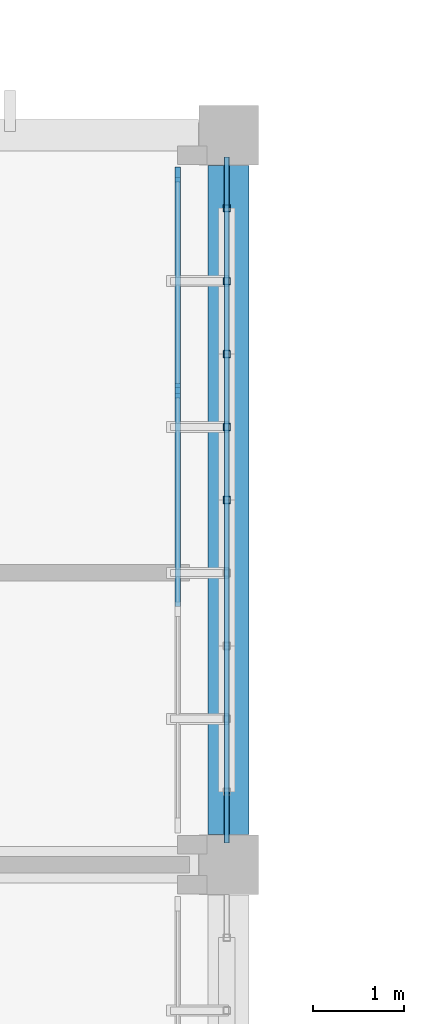
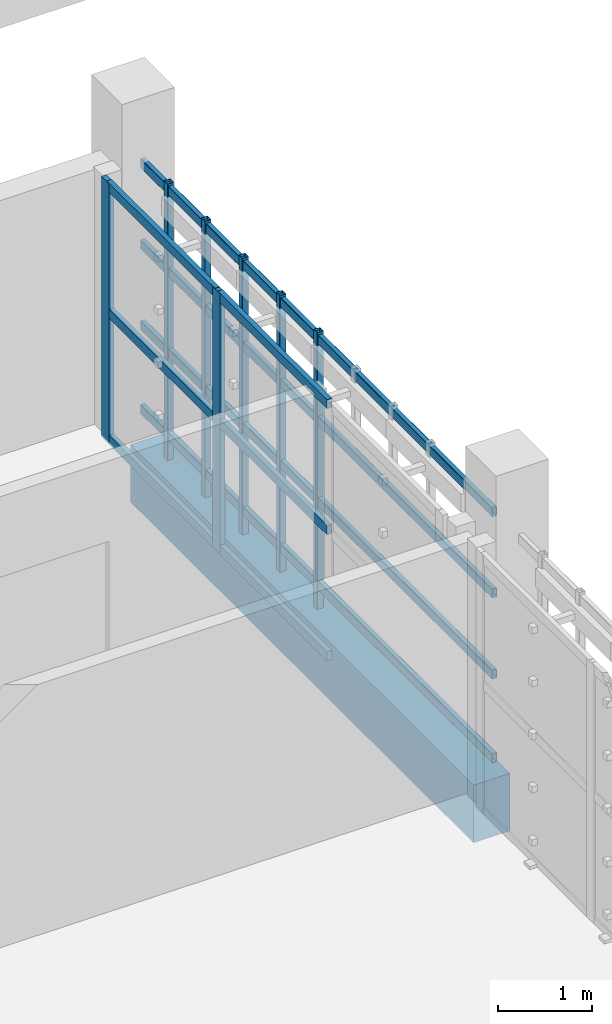
# One storey, part 30 of 137: 17 members, 1 beam, 1 element without a shape of its own.
"""IFC4 building model written with IfcOpenShell, lengths in metres."""

from ifc_helpers import new_model, si_unit, direction, frame, origin, origin_2d, place, context, subcontext, project, spatial, rectangle, hollow_rectangle, extrude, material, layer, layer_set, material_profile, profile_set, type_object, element, aggregate, save


model = new_model("IFC4")

# Units and contexts
model_context = context("Model", 3, precision=1e-05, world=origin(), true_north=direction((0.0, 1.0)))
body_context = subcontext(model_context, "Body", "Model", "MODEL_VIEW")
ifc_project = project(units=[si_unit("LENGTHUNIT", "METRE"), si_unit("AREAUNIT", "SQUARE_METRE"), si_unit("VOLUMEUNIT", "CUBIC_METRE"), si_unit("PLANEANGLEUNIT", "RADIAN"), si_unit("MASSUNIT", "GRAM", prefix="KILO")], contexts=[model_context])

# Site, building, storey
site_placement = place(None, origin())
site = spatial("IfcSite", under=ifc_project, at=site_placement, CompositionType="ELEMENT")
building_placement = place(site_placement, origin())
building = spatial("IfcBuilding", under=site, at=building_placement, Name="Jelvoka-Kovrelna Polytechnic", CompositionType="ELEMENT")
storey_placement = place(building_placement, frame((0.0, 0.0, 9.60009765625)))
storey = spatial("IfcBuildingStorey", under=building, at=storey_placement, Name="L03", CompositionType="ELEMENT", Elevation=9.60009765625)

# Beam
ifc_material_1 = material(Name="Concrete C40/50", Category="concrete")
ifc_material_profile_1 = material_profile(ifc_material_1, rectangle(XDim=0.449951171875, YDim=0.75, at=origin_2d()), Name="RC 450x750")
ifc_profile_set_1 = profile_set([ifc_material_profile_1], Name="Concrete C40/50")
beam_type = type_object("IfcBeamType", Name="Beam_RC_450x750", PredefinedType="BEAM", material=ifc_profile_set_1)
beam_placement = place(storey_placement, frame((112.0, 40.330078125, -0.64013671875), z_axis=(0.0, 1.0, 0.0), x_axis=(-1.0, 0.0, 0.0)))
element("IfcBeam", 1, at=beam_placement, inside=storey, type_object=beam_type, Name="L03 beam 0962", PredefinedType="BEAM", context=body_context, shape_type="SweptSolid", body=[
    extrude(rectangle(XDim=0.449951171875, YDim=0.75, at=origin_2d()), origin(), (0.0, 0.0, 1.0), 7.33984375),
])

# Members
ifc_material_2 = material(Name="Structural steel S355J2H", Category="steel")
ifc_material_profile_2 = material_profile(ifc_material_2, hollow_rectangle(XDim=0.06005859375, YDim=0.1201171875, WallThickness=0.0048828125, InnerFilletRadius=0.0048828125, OuterFilletRadius=0.007568359375, at=origin_2d()), Name="120x60x5.0 RHS")
ifc_profile_set_2 = profile_set([ifc_material_profile_2], Name="Structural steel S355J2H")
member_type_1 = type_object("IfcMemberType", Name="Member_Strut_RHS120", PredefinedType="STRUT", material=ifc_profile_set_2)
for number, where, z_axis, x_axis, name in (
    (2, (111.97998046875, 40.239990234375, 0.079833984375), (0.0, 1.0, 0.0), (-1.0, 0.0, 0.0), "L03 terracotta screen horizontal strut 0170"),
    (3, (111.97998046875, 40.239990234375, 1.17138671875), (0.0, 1.0, 0.0), (-1.0, 0.0, 0.0), "L03 terracotta screen horizontal strut 0171"),
    (4, (111.97998046875, 40.239990234375, 2.230712890625), (0.0, 1.0, 0.0), (-1.0, 0.0, 0.0), "L03 terracotta screen horizontal strut 0172"),
    (5, (111.97998046875, 40.239990234375, 3.289794921875), (0.0, 1.0, 0.0), (-1.0, 0.0, 0.0), "L03 terracotta screen horizontal strut 0173"),
):
    element("IfcMember", number, at=place(storey_placement, frame(where, z_axis=z_axis, x_axis=x_axis)), inside=storey, type_object=member_type_1, Name=name, PredefinedType="STRUT", context=body_context, shape_type="SweptSolid", body=[
        extrude(hollow_rectangle(XDim=0.06005859375, YDim=0.1201171875, WallThickness=0.0048828125, InnerFilletRadius=0.0048828125, OuterFilletRadius=0.007568359375, at=origin_2d()), origin(), (0.0, 0.0, 1.0), 7.52001953125),
    ])
ifc_material_3 = material(Name="Structural steel S355J2H", Category="steel")
ifc_material_profile_3 = material_profile(ifc_material_3, hollow_rectangle(XDim=0.080078125, YDim=0.080078125, WallThickness=0.0048828125, InnerFilletRadius=0.0048828125, OuterFilletRadius=0.007568359375, at=origin_2d()), Name="80x80x5.0 SHS")
ifc_profile_set_3 = profile_set([ifc_material_profile_3], Name="Structural steel S355J2H")
member_type_2 = type_object("IfcMemberType", Name="Member_Strut_SHS80", PredefinedType="STRUT", material=ifc_profile_set_3)
for number, where, z_axis, x_axis, name in (
    (6, (111.97998046875, 44.0, -0.22998046875), (0.0, 0.0, 1.0), (1.0, 0.0, 0.0), "L03 terracotta lattice vertical rib 0178"),
    (7, (111.97998046875, 44.800048828125, -0.22998046875), (0.0, 0.0, 1.0), (1.0, 0.0, 0.0), "L03 terracotta lattice vertical rib 0179"),
    (8, (111.97998046875, 45.60009765625, -0.22998046875), (0.0, 0.0, 1.0), (1.0, 0.0, 0.0), "L03 terracotta lattice vertical rib 0180"),
    (9, (111.97998046875, 46.39990234375, -0.22998046875), (0.0, 0.0, 1.0), (1.0, 0.0, 0.0), "L03 terracotta lattice vertical rib 0181"),
    (10, (111.97998046875, 47.199951171875, -0.22998046875), (0.0, 0.0, 1.0), (1.0, 0.0, 0.0), "L03 terracotta lattice vertical rib 0182"),
):
    element("IfcMember", number, at=place(storey_placement, frame(where, z_axis=z_axis, x_axis=x_axis)), inside=storey, type_object=member_type_2, Name=name, PredefinedType="STRUT", context=body_context, shape_type="SweptSolid", body=[
        extrude(hollow_rectangle(XDim=0.080078125, YDim=0.080078125, WallThickness=0.0048828125, InnerFilletRadius=0.0048828125, OuterFilletRadius=0.007568359375, at=origin_2d()), origin(), (0.0, 0.0, 1.0), 3.60986328125),
    ])

# Curtain wall, members
ifc_material_4 = material(Name="Anodised aluminium 6063-T6", Category="aluminium")
ifc_layer = layer(ifc_material_4, 0.159912109375)
ifc_layer_set = layer_set([ifc_layer], Name="Anodised aluminium 6063-T6")
curtain_wall_type = type_object("IfcCurtainWallType", Name="CW_Recessed_A", PredefinedType="NOTDEFINED", material=ifc_layer_set)
curtain_wall_placement = place(storey_placement, origin())
curtain_wall = element("IfcCurtainWall", 11, at=curtain_wall_placement, inside=storey, type_object=curtain_wall_type, Name="L03 glazed curtain wall 026", PredefinedType="NOTDEFINED")
ifc_material_5 = material(Name="Anodised aluminium 6063-T6", Category="aluminium")
ifc_material_profile_4 = material_profile(ifc_material_5, rectangle(XDim=0.06005859375, YDim=0.159912109375, at=origin_2d()), Name="ALU 60x160")
ifc_profile_set_4 = profile_set([ifc_material_profile_4], Name="Anodised aluminium 6063-T6")
member_type_3 = type_object("IfcMemberType", Name="Mullion_M-01", PredefinedType="MULLION", material=ifc_profile_set_4)
member_1_placement = place(storey_placement, frame((111.43994140625, 47.570068359375, -0.02490234375), z_axis=(0.0, 0.0, 1.0), x_axis=(1.0, 0.0, 0.0)))
member_1 = element("IfcMember", 12, at=member_1_placement, type_object=member_type_3, Name="CW-01 mullion 1", PredefinedType="MULLION", context=body_context, shape_type="SweptSolid", body=[
    extrude(rectangle(XDim=0.06005859375, YDim=0.159912109375, at=origin_2d()), origin(), (0.0, 0.0, 1.0), 3.39990234375),
])
member_2_placement = place(storey_placement, frame((111.43994140625, 45.199951171875, -0.02490234375), z_axis=(0.0, 0.0, 1.0), x_axis=(1.0, 0.0, 0.0)))
member_2 = element("IfcMember", 13, at=member_2_placement, type_object=member_type_3, Name="CW-01 mullion 2", PredefinedType="MULLION", context=body_context, shape_type="SweptSolid", body=[
    extrude(rectangle(XDim=0.06005859375, YDim=0.159912109375, at=origin_2d()), origin(), (0.0, 0.0, 1.0), 3.39990234375),
])
ifc_material_6 = material(Name="Anodised aluminium 6063-T6", Category="aluminium")
ifc_material_profile_5 = material_profile(ifc_material_6, rectangle(XDim=0.06005859375, YDim=0.1201171875, at=origin_2d()), Name="ALU 60x120")
ifc_profile_set_5 = profile_set([ifc_material_profile_5], Name="Anodised aluminium 6063-T6")
member_type_4 = type_object("IfcMemberType", Name="Transom_T-01", PredefinedType="USERDEFINED", material=ifc_profile_set_5)
member_3_placement = place(storey_placement, frame((111.43994140625, 47.5400390625, 0.02978515625), z_axis=(0.0, -1.0, 0.0), x_axis=(1.0, 0.0, 0.0)))
member_3 = element("IfcMember", 14, at=member_3_placement, type_object=member_type_4, Name="CW-01 transom 1.1", ObjectType="TRANSOM", PredefinedType="USERDEFINED", context=body_context, shape_type="SweptSolid", body=[
    extrude(rectangle(XDim=0.06005859375, YDim=0.1201171875, at=origin_2d()), origin(), (0.0, 0.0, 1.0), 2.31005859375),
])
member_4_placement = place(storey_placement, frame((111.43994140625, 47.5400390625, 1.6748046875), z_axis=(0.0, -1.0, 0.0), x_axis=(1.0, 0.0, 0.0)))
member_4 = element("IfcMember", 15, at=member_4_placement, type_object=member_type_4, Name="CW-01 transom 1.2", ObjectType="TRANSOM", PredefinedType="USERDEFINED", context=body_context, shape_type="SweptSolid", body=[
    extrude(rectangle(XDim=0.06005859375, YDim=0.1201171875, at=origin_2d()), origin(), (0.0, 0.0, 1.0), 2.31005859375),
])
member_5_placement = place(storey_placement, frame((111.43994140625, 47.5400390625, 3.31982421875), z_axis=(0.0, -1.0, 0.0), x_axis=(1.0, 0.0, 0.0)))
member_5 = element("IfcMember", 16, at=member_5_placement, type_object=member_type_4, Name="CW-01 transom 1.3", ObjectType="TRANSOM", PredefinedType="USERDEFINED", context=body_context, shape_type="SweptSolid", body=[
    extrude(rectangle(XDim=0.06005859375, YDim=0.1201171875, at=origin_2d()), origin(), (0.0, 0.0, 1.0), 2.31005859375),
])
member_6_placement = place(storey_placement, frame((111.43994140625, 45.169921875, 0.02978515625), z_axis=(0.0, -1.0, 0.0), x_axis=(1.0, 0.0, 0.0)))
member_6 = element("IfcMember", 17, at=member_6_placement, type_object=member_type_4, Name="CW-01 transom 2.1", ObjectType="TRANSOM", PredefinedType="USERDEFINED", context=body_context, shape_type="SweptSolid", body=[
    extrude(rectangle(XDim=0.06005859375, YDim=0.1201171875, at=origin_2d()), origin(), (0.0, 0.0, 1.0), 2.33984375),
])
member_7_placement = place(storey_placement, frame((111.43994140625, 45.169921875, 1.6748046875), z_axis=(0.0, -1.0, 0.0), x_axis=(1.0, 0.0, 0.0)))
member_7 = element("IfcMember", 18, at=member_7_placement, type_object=member_type_4, Name="CW-01 transom 2.2", ObjectType="TRANSOM", PredefinedType="USERDEFINED", context=body_context, shape_type="SweptSolid", body=[
    extrude(rectangle(XDim=0.06005859375, YDim=0.1201171875, at=origin_2d()), origin(), (0.0, 0.0, 1.0), 2.33984375),
])
member_8_placement = place(storey_placement, frame((111.43994140625, 45.169921875, 3.31982421875), z_axis=(0.0, -1.0, 0.0), x_axis=(1.0, 0.0, 0.0)))
member_8 = element("IfcMember", 19, at=member_8_placement, type_object=member_type_4, Name="CW-01 transom 2.3", ObjectType="TRANSOM", PredefinedType="USERDEFINED", context=body_context, shape_type="SweptSolid", body=[
    extrude(rectangle(XDim=0.06005859375, YDim=0.1201171875, at=origin_2d()), origin(), (0.0, 0.0, 1.0), 2.33984375),
])
aggregate(curtain_wall, [member_1, member_2, member_3, member_4, member_5, member_6, member_7, member_8])

save(model, "model.ifc")
